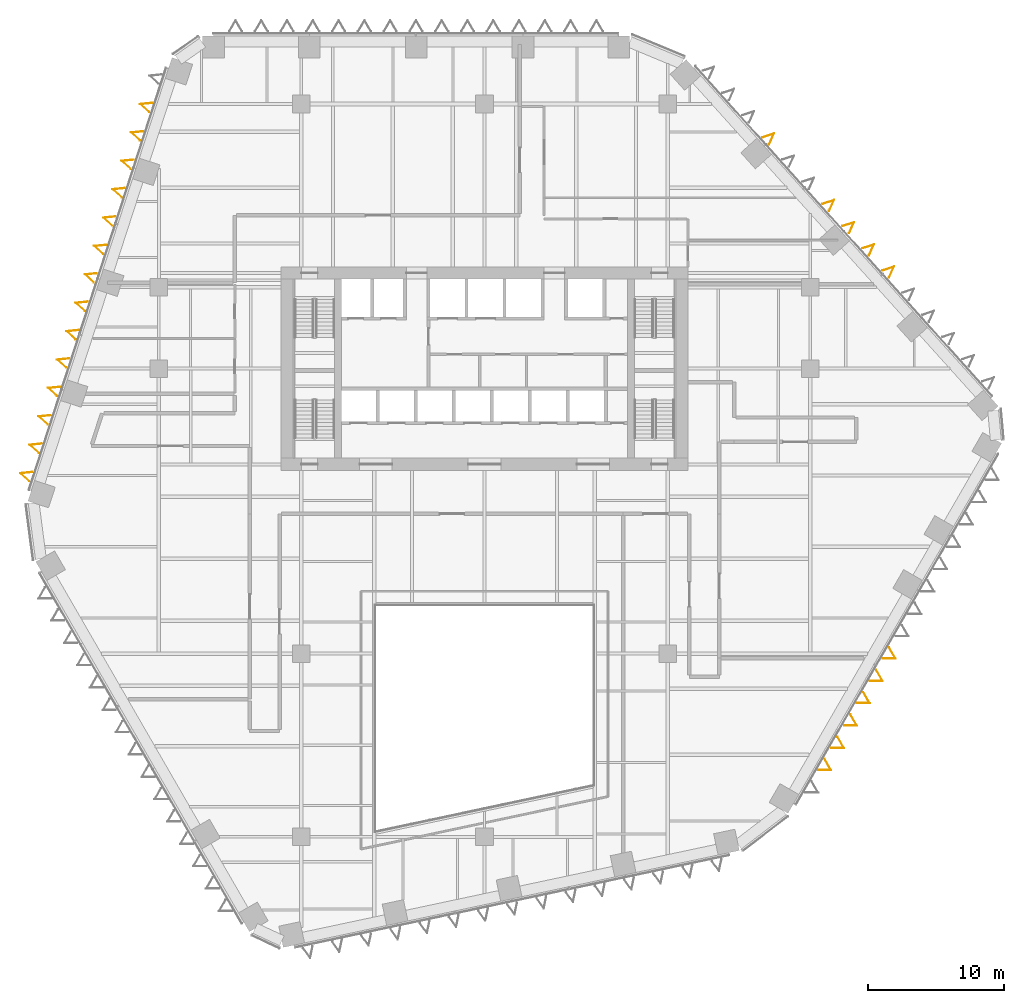
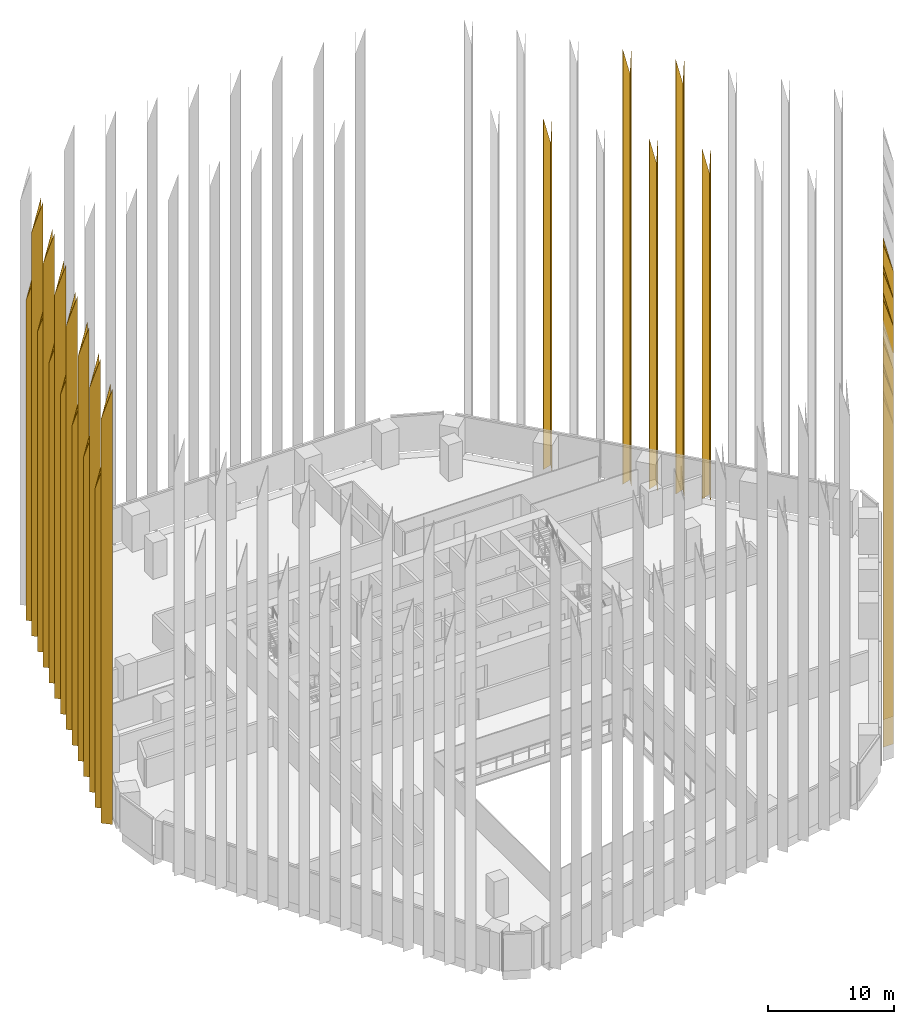
# One storey, part 22 of 24: 25 coverings.
"""IFC4 building model written with IfcOpenShell, lengths in metres."""

import ifcopenshell
import ifcopenshell.guid

model = None  # the IFC model being written
_history = None  # IfcOwnerHistory: only IFC2X3 demands one
_inside = {}  # id of a spatial element -> (the spatial element, [elements in it])
_under = {}  # id of a project, library or spatial element -> (it, [spatial elements below it])
_declared = {}  # id of a project -> (the project, [libraries it declares])
_typed = {}  # id of a type object -> (the type object, [elements of that type])
_made_of = {}  # id of a material, layer set ... -> (it, [elements and type objects made of it])


def new_model(schema):
    """Start an empty IFC model of exactly this schema.

    Asked for "IFC4X3", IfcOpenShell would pick the latest addendum, in which some entities
    have other attributes; the version numbers below select the first issue.
    IFC2X3 requires an IfcOwnerHistory on every rooted entity: one is made here for all.
    """
    global model, _history
    if schema == "IFC4X3":
        model = ifcopenshell.file(schema_version=(4, 3, 0, 0))
    else:
        model = ifcopenshell.file(schema=schema)
    _inside.clear()
    _under.clear()
    _declared.clear()
    _typed.clear()
    _made_of.clear()
    _history = None
    if model.schema == "IFC2X3":
        org = make("IfcOrganization", Name="unknown")
        user = make(
            "IfcPersonAndOrganization",
            ThePerson=make("IfcPerson", FamilyName="unknown"),
            TheOrganization=org,
        )
        app = make(
            "IfcApplication",
            ApplicationDeveloper=org,
            Version="unknown",
            ApplicationFullName="unknown",
            ApplicationIdentifier="unknown",
        )
        _history = make(
            "IfcOwnerHistory",
            OwningUser=user,
            OwningApplication=app,
            ChangeAction="ADDED",
            CreationDate=0,
        )
    return model


def make(cls, **values):
    """One entity of the class cls with the attributes given. An attribute that is None is left unset."""
    return model.create_entity(
        cls, **{name: value for name, value in values.items() if value is not None}
    )


def rooted(cls, **values):
    """An entity with a GlobalId (a new one), such as an element, a storey or a relation."""
    return make(cls, GlobalId=ifcopenshell.guid.new(), OwnerHistory=_history, **values)


def si_unit(unit_type, name, prefix=None):
    """IfcSIUnit, for example si_unit("LENGTHUNIT", "METRE", prefix="MILLI")."""
    return make("IfcSIUnit", UnitType=unit_type, Prefix=prefix, Name=name)


def assignment(units):
    """IfcUnitAssignment: the units of a project."""
    return None if units is None else make("IfcUnitAssignment", Units=units)


def point(xyz):
    """IfcCartesianPoint."""
    return None if xyz is None else make("IfcCartesianPoint", Coordinates=xyz)


def direction(xyz):
    """IfcDirection."""
    return None if xyz is None else make("IfcDirection", DirectionRatios=xyz)


def frame(location, z_axis=None, x_axis=None):
    """IfcAxis2Placement3D, a coordinate frame: its origin and axes. An axis left out is left unset."""
    return make(
        "IfcAxis2Placement3D",
        Location=point(location),
        Axis=direction(z_axis),
        RefDirection=direction(x_axis),
    )


def origin():
    """The frame at (0, 0, 0) with its axes left unset."""
    return frame((0.0, 0.0, 0.0))


def place(relative_to, where):
    """IfcLocalPlacement: puts the frame where relative to a parent placement (None: the world)."""
    return make(
        "IfcLocalPlacement", PlacementRelTo=relative_to, RelativePlacement=where
    )


def context(
    kind, dimensions, precision=None, world=None, true_north=None, identifier=None
):
    """IfcGeometricRepresentationContext, for example the 3D "Model" context."""
    return make(
        "IfcGeometricRepresentationContext",
        ContextIdentifier=identifier,
        ContextType=kind,
        CoordinateSpaceDimension=dimensions,
        Precision=precision,
        WorldCoordinateSystem=world,
        TrueNorth=true_north,
    )


def subcontext(parent, identifier, kind, view, scale=None):
    """IfcGeometricRepresentationSubContext, for example "Body" below "Model"."""
    return make(
        "IfcGeometricRepresentationSubContext",
        ContextIdentifier=identifier,
        ContextType=kind,
        ParentContext=parent,
        TargetScale=scale,
        TargetView=view,
    )


def project(units=None, contexts=None):
    """IfcProject with its units and contexts."""
    return rooted(
        "IfcProject",
        Name="project",
        RepresentationContexts=contexts,
        UnitsInContext=assignment(units),
    )


def spatial(cls, under=None, at=None, **own):
    """A site, building, storey or space (cls), placed at a placement, below another one or the project."""
    s = rooted(cls, ObjectPlacement=at, **own)
    if under is not None:
        _under.setdefault(under.id(), (under, []))[1].append(s)
    return s


def polyline(points):
    """IfcPolyline through the points."""
    return make("IfcPolyline", Points=[point(p) for p in points])


def outline(outer, holes=None, kind="AREA"):
    """IfcArbitraryClosedProfileDef: a profile drawn as a closed curve; with holes, ...WithVoids."""
    if holes is None:
        return make("IfcArbitraryClosedProfileDef", ProfileType=kind, OuterCurve=outer)
    return make(
        "IfcArbitraryProfileDefWithVoids",
        ProfileType=kind,
        OuterCurve=outer,
        InnerCurves=holes,
    )


def faces_of(points, faces, orient=None, outer=None):
    """IfcFace entities. A face is a list of loops; a loop is a list of indices into points, from 0.

    orient and outer hold one flag for each loop. By default every Orientation is true, the
    first loop of a face is its IfcFaceOuterBound and the others are IfcFaceBound.
    """
    made = []
    for i, loops in enumerate(faces):
        bounds = []
        for j, loop in enumerate(loops):
            is_outer = j == 0 if outer is None else outer[i][j]
            bounds.append(
                make(
                    "IfcFaceOuterBound" if is_outer else "IfcFaceBound",
                    Bound=make("IfcPolyLoop", Polygon=[points[k] for k in loop]),
                    Orientation=True if orient is None else orient[i][j],
                )
            )
        made.append(make("IfcFace", Bounds=bounds))
    return made


def faceted_brep(points, faces, orient=None, outer=None, voids=None):
    """IfcFacetedBrep: a solid bounded by flat faces; with voids (closed shells), ...WithVoids."""
    shared = [point(p) for p in points]
    hull = make("IfcClosedShell", CfsFaces=faces_of(shared, faces, orient, outer))
    if voids is None:
        return make("IfcFacetedBrep", Outer=hull)
    return make(
        "IfcFacetedBrepWithVoids",
        Outer=hull,
        Voids=[
            make(cls, CfsFaces=faces_of(shared, fs, o, b)) for cls, fs, o, b in voids
        ],
    )


def shape(context_of_items, identifier, shape_type, items):
    """IfcShapeRepresentation: the items that make up one representation, for example the "Body"."""
    return make(
        "IfcShapeRepresentation",
        ContextOfItems=context_of_items,
        RepresentationIdentifier=identifier,
        RepresentationType=shape_type,
        Items=items,
    )


def material(Name=None, Category=None):
    """IfcMaterial."""
    return make("IfcMaterial", Name=Name, Category=Category)


def material_profile(
    of_material, cross_section, Name=None, Category=None, Priority=None
):
    """IfcMaterialProfile: a cross section and its material."""
    return make(
        "IfcMaterialProfile",
        Name=Name,
        Material=of_material,
        Profile=cross_section,
        Priority=Priority,
        Category=Category,
    )


def profile_set(profiles, Name=None, composite=None):
    """IfcMaterialProfileSet."""
    return make(
        "IfcMaterialProfileSet",
        Name=Name,
        MaterialProfiles=profiles,
        CompositeProfile=composite,
    )


def made_of(thing, what):
    """Note that an element or type object is made of a material, layer set ...; save() writes the relation."""
    if what is not None:
        _made_of.setdefault(what.id(), (what, []))[1].append(thing)
    return thing


def type_object(cls, material=None, **own):
    """A type object (cls), such as IfcWallType, which elements share."""
    return made_of(rooted(cls, **own), material)


def element(
    cls,
    number,
    at=None,
    inside=None,
    cuts=None,
    type_object=None,
    material=None,
    context=None,
    identifier="Body",
    shape_type=None,
    held_by="IfcProductDefinitionShape",
    body=None,
    shapes=None,
    **own,
):
    """One element of the class cls, such as IfcWall. Its Tag is "e" and its number.

    at: its placement. inside: the storey or other place that contains it. cuts: it is an
    opening in that element (IfcRelVoidsElement). A single representation is given by context,
    identifier, shape_type and body (its items); several are given by shapes. held_by: the class
    of the entity that holds the representations. save() writes the other relations.
    """
    e = rooted(cls, Tag="e%d" % number, ObjectPlacement=at, **own)
    if body is not None:
        shapes = [shape(context, identifier, shape_type, body)]
    if shapes is not None:
        e.Representation = make(held_by, Representations=shapes)
    if inside is not None:
        _inside.setdefault(inside.id(), (inside, []))[1].append(e)
    if cuts is not None:
        rooted(
            "IfcRelVoidsElement", RelatingBuildingElement=cuts, RelatedOpeningElement=e
        )
    if type_object is not None:
        _typed.setdefault(type_object.id(), (type_object, []))[1].append(e)
    return made_of(e, material)


def aggregate(whole, parts):
    """IfcRelAggregates: a whole, such as a stair, and the parts it consists of."""
    return rooted("IfcRelAggregates", RelatingObject=whole, RelatedObjects=parts)


def save(model, path):
    """Write the relations noted so far, then the file.

    IfcRelAggregates (storeys below a building ...), IfcRelContainedInSpatialStructure (elements
    in a storey), IfcRelDefinesByType, IfcRelAssociatesMaterial and IfcRelDeclares: one each for
    every whole, place, type object, material and project.
    """
    for whole, parts in _under.values():
        aggregate(whole, parts)
    for where, things in _inside.values():
        rooted(
            "IfcRelContainedInSpatialStructure",
            RelatedElements=things,
            RelatingStructure=where,
        )
    for kind, things in _typed.values():
        rooted("IfcRelDefinesByType", RelatedObjects=things, RelatingType=kind)
    for what, things in _made_of.values():
        rooted("IfcRelAssociatesMaterial", RelatedObjects=things, RelatingMaterial=what)
    for by, libraries in _declared.values():
        rooted("IfcRelDeclares", RelatingContext=by, RelatedDefinitions=libraries)
    model.write(path)


model = new_model("IFC4")

# Units and contexts
model_context = context("Model", 3, precision=1e-05, world=origin(), true_north=direction((0.0, 1.0)))
body_context = subcontext(model_context, "Body", "Model", "MODEL_VIEW")
ifc_project = project(units=[si_unit("LENGTHUNIT", "METRE"), si_unit("AREAUNIT", "SQUARE_METRE"), si_unit("VOLUMEUNIT", "CUBIC_METRE"), si_unit("PLANEANGLEUNIT", "RADIAN"), si_unit("MASSUNIT", "GRAM", prefix="KILO")], contexts=[model_context])

# Site, building, storey
site_placement = place(None, origin())
site = spatial("IfcSite", under=ifc_project, at=site_placement, CompositionType="ELEMENT")
building_placement = place(site_placement, origin())
building = spatial("IfcBuilding", under=site, at=building_placement, Name="Isthmus Gate Tower", CompositionType="ELEMENT")
storey_placement = place(building_placement, frame((0.0, 0.0, 80.64990234375)))
storey = spatial("IfcBuildingStorey", under=building, at=storey_placement, Name="L18", CompositionType="ELEMENT", Elevation=80.64990234375)

# Coverings
ifc_material_1 = material(Name="Structural steel ASTM A572 Gr 50, white paint system", Category="steel")
ifc_material_profile_1 = material_profile(ifc_material_1, outline(polyline([(0.0, -0.3740234375), (0.840087890625, 0.0), (0.0, 0.3740234375), (0.0, 0.341064453125), (0.766357421875, 0.0), (0.0, -0.341064453125), (0.0, -0.3740234375)])), Name="V840")
ifc_profile_set_1 = profile_set([ifc_material_profile_1], Name="Structural steel ASTM A572 Gr 50, white paint system")
covering_type_1 = type_object("IfcCoveringType", Name="FIN V 840 DEEP", PredefinedType="CLADDING", material=ifc_profile_set_1)
covering_1_placement = place(storey_placement, frame((0.0, 0.0, -80.64990234375)))
element("IfcCovering", 1, at=covering_1_placement, inside=storey, type_object=covering_type_1, Name="FIN", ObjectType="FIN", PredefinedType="CLADDING", context=body_context, shape_type="Brep", body=[
    faceted_brep([(-24.486083984375, 27.063720703125, 80.25), (-25.3203125, 26.97607421875, 80.25), (-24.697021484375, 26.414794921875, 80.25), (-24.70703125, 26.383544921875, 80.25), (-25.390380859375, 26.998779296875, 80.25), (-24.47607421875, 27.094970703125, 80.25), (-24.47607421875, 27.094970703125, 114.10009765625), (-25.390380859375, 26.998779296875, 111.10009765625), (-24.70703125, 26.383544921875, 114.10009765625), (-24.697021484375, 26.414794921875, 114.10009765625), (-25.3203125, 26.97607421875, 111.363525390625), (-24.486083984375, 27.063720703125, 114.10009765625)], [[[0, 1, 2, 3, 4, 5]], [[6, 7, 8, 9, 10, 11]], [[5, 4, 7, 6]], [[4, 3, 8, 7]], [[3, 2, 9, 8]], [[2, 1, 10, 9]], [[1, 0, 11, 10]], [[0, 5, 6, 11]]]),
])
covering_2_placement = place(storey_placement, frame((0.0, 0.0, -80.64990234375)))
element("IfcCovering", 2, at=covering_2_placement, inside=storey, type_object=covering_type_1, Name="FIN", ObjectType="FIN", PredefinedType="CLADDING", context=body_context, shape_type="Brep", body=[
    faceted_brep([(-25.165771484375, 24.97119140625, 80.25), (-26.0, 24.883544921875, 80.25), (-25.376708984375, 24.322265625, 80.25), (-25.38671875, 24.291015625, 80.25), (-26.070068359375, 24.90625, 80.25), (-25.15576171875, 25.00244140625, 80.25), (-25.15576171875, 25.00244140625, 122.25), (-26.070068359375, 24.90625, 119.25), (-25.38671875, 24.291015625, 122.25), (-25.376708984375, 24.322265625, 122.25), (-26.0, 24.883544921875, 119.513427734375), (-25.165771484375, 24.97119140625, 122.25)], [[[0, 1, 2, 3, 4, 5]], [[6, 7, 8, 9, 10, 11]], [[5, 4, 7, 6]], [[4, 3, 8, 7]], [[3, 2, 9, 8]], [[2, 1, 10, 9]], [[1, 0, 11, 10]], [[0, 5, 6, 11]]]),
])
covering_3_placement = place(storey_placement, frame((0.0, 0.0, -80.64990234375)))
element("IfcCovering", 3, at=covering_3_placement, inside=storey, type_object=covering_type_1, Name="FIN", ObjectType="FIN", PredefinedType="CLADDING", context=body_context, shape_type="Brep", body=[
    faceted_brep([(-25.845703125, 22.87890625, 80.25), (-26.679931640625, 22.791259765625, 80.25), (-26.056640625, 22.22998046875, 80.25), (-26.066650390625, 22.19873046875, 80.25), (-26.75, 22.81396484375, 80.25), (-25.835693359375, 22.91015625, 80.25), (-25.835693359375, 22.91015625, 114.10009765625), (-26.75, 22.81396484375, 111.10009765625), (-26.066650390625, 22.19873046875, 114.10009765625), (-26.056640625, 22.22998046875, 114.10009765625), (-26.679931640625, 22.791259765625, 111.363525390625), (-25.845703125, 22.87890625, 114.10009765625)], [[[0, 1, 2, 3, 4, 5]], [[6, 7, 8, 9, 10, 11]], [[5, 4, 7, 6]], [[4, 3, 8, 7]], [[3, 2, 9, 8]], [[2, 1, 10, 9]], [[1, 0, 11, 10]], [[0, 5, 6, 11]]]),
])
covering_4_placement = place(storey_placement, frame((0.0, 0.0, -80.64990234375)))
element("IfcCovering", 4, at=covering_4_placement, inside=storey, type_object=covering_type_1, Name="FIN", ObjectType="FIN", PredefinedType="CLADDING", context=body_context, shape_type="Brep", body=[
    faceted_brep([(-26.525390625, 20.78662109375, 80.25), (-27.359619140625, 20.698974609375, 80.25), (-26.736328125, 20.1376953125, 80.25), (-26.746337890625, 20.1064453125, 80.25), (-27.4296875, 20.7216796875, 80.25), (-26.515380859375, 20.81787109375, 80.25), (-26.515380859375, 20.81787109375, 122.25), (-27.4296875, 20.7216796875, 119.25), (-26.746337890625, 20.1064453125, 122.25), (-26.736328125, 20.1376953125, 122.25), (-27.359619140625, 20.698974609375, 119.513427734375), (-26.525390625, 20.78662109375, 122.25)], [[[0, 1, 2, 3, 4, 5]], [[6, 7, 8, 9, 10, 11]], [[5, 4, 7, 6]], [[4, 3, 8, 7]], [[3, 2, 9, 8]], [[2, 1, 10, 9]], [[1, 0, 11, 10]], [[0, 5, 6, 11]]]),
])
covering_5_placement = place(storey_placement, frame((0.0, 0.0, -80.64990234375)))
element("IfcCovering", 5, at=covering_5_placement, inside=storey, type_object=covering_type_1, Name="FIN", ObjectType="FIN", PredefinedType="CLADDING", context=body_context, shape_type="Brep", body=[
    faceted_brep([(-27.205322265625, 18.6943359375, 80.25), (-28.03955078125, 18.606689453125, 80.25), (-27.416259765625, 18.04541015625, 80.25), (-27.42626953125, 18.01416015625, 80.25), (-28.109619140625, 18.62939453125, 80.25), (-27.1953125, 18.7255859375, 80.25), (-27.1953125, 18.7255859375, 114.10009765625), (-28.109619140625, 18.62939453125, 111.10009765625), (-27.42626953125, 18.01416015625, 114.10009765625), (-27.416259765625, 18.04541015625, 114.10009765625), (-28.03955078125, 18.606689453125, 111.363525390625), (-27.205322265625, 18.6943359375, 114.10009765625)], [[[0, 1, 2, 3, 4, 5]], [[6, 7, 8, 9, 10, 11]], [[5, 4, 7, 6]], [[4, 3, 8, 7]], [[3, 2, 9, 8]], [[2, 1, 10, 9]], [[1, 0, 11, 10]], [[0, 5, 6, 11]]]),
])
covering_6_placement = place(storey_placement, frame((0.0, 0.0, -80.64990234375)))
element("IfcCovering", 6, at=covering_6_placement, inside=storey, type_object=covering_type_1, Name="FIN", ObjectType="FIN", PredefinedType="CLADDING", context=body_context, shape_type="Brep", body=[
    faceted_brep([(-27.88525390625, 16.60205078125, 80.25), (-28.719482421875, 16.514404296875, 80.25), (-28.09619140625, 15.953125, 80.25), (-28.106201171875, 15.921875, 80.25), (-28.78955078125, 16.537109375, 80.25), (-27.875244140625, 16.63330078125, 80.25), (-27.875244140625, 16.63330078125, 122.25), (-28.78955078125, 16.537109375, 119.25), (-28.106201171875, 15.921875, 122.25), (-28.09619140625, 15.953125, 122.25), (-28.719482421875, 16.514404296875, 119.513427734375), (-27.88525390625, 16.60205078125, 122.25)], [[[0, 1, 2, 3, 4, 5]], [[6, 7, 8, 9, 10, 11]], [[5, 4, 7, 6]], [[4, 3, 8, 7]], [[3, 2, 9, 8]], [[2, 1, 10, 9]], [[1, 0, 11, 10]], [[0, 5, 6, 11]]]),
])
covering_7_placement = place(storey_placement, frame((0.0, 0.0, -80.64990234375)))
element("IfcCovering", 7, at=covering_7_placement, inside=storey, type_object=covering_type_1, Name="FIN", ObjectType="FIN", PredefinedType="CLADDING", context=body_context, shape_type="Brep", body=[
    faceted_brep([(-28.56494140625, 14.509765625, 80.25), (-29.399169921875, 14.422119140625, 80.25), (-28.77587890625, 13.86083984375, 80.25), (-28.785888671875, 13.82958984375, 80.25), (-29.46923828125, 14.44482421875, 80.25), (-28.554931640625, 14.541015625, 80.25), (-28.554931640625, 14.541015625, 114.10009765625), (-29.46923828125, 14.44482421875, 111.10009765625), (-28.785888671875, 13.82958984375, 114.10009765625), (-28.77587890625, 13.86083984375, 114.10009765625), (-29.399169921875, 14.422119140625, 111.363525390625), (-28.56494140625, 14.509765625, 114.10009765625)], [[[0, 1, 2, 3, 4, 5]], [[6, 7, 8, 9, 10, 11]], [[5, 4, 7, 6]], [[4, 3, 8, 7]], [[3, 2, 9, 8]], [[2, 1, 10, 9]], [[1, 0, 11, 10]], [[0, 5, 6, 11]]]),
])
covering_8_placement = place(storey_placement, frame((0.0, 0.0, -80.64990234375)))
element("IfcCovering", 8, at=covering_8_placement, inside=storey, type_object=covering_type_1, Name="FIN", ObjectType="FIN", PredefinedType="CLADDING", context=body_context, shape_type="Brep", body=[
    faceted_brep([(-29.244873046875, 12.417236328125, 80.25), (-30.0791015625, 12.32958984375, 80.25), (-29.455810546875, 11.768310546875, 80.25), (-29.4658203125, 11.737060546875, 80.25), (-30.149169921875, 12.352294921875, 80.25), (-29.23486328125, 12.448486328125, 80.25), (-29.23486328125, 12.448486328125, 122.25), (-30.149169921875, 12.352294921875, 119.25), (-29.4658203125, 11.737060546875, 122.25), (-29.455810546875, 11.768310546875, 122.25), (-30.0791015625, 12.32958984375, 119.513427734375), (-29.244873046875, 12.417236328125, 122.25)], [[[0, 1, 2, 3, 4, 5]], [[6, 7, 8, 9, 10, 11]], [[5, 4, 7, 6]], [[4, 3, 8, 7]], [[3, 2, 9, 8]], [[2, 1, 10, 9]], [[1, 0, 11, 10]], [[0, 5, 6, 11]]]),
])
covering_9_placement = place(storey_placement, frame((0.0, 0.0, -80.64990234375)))
element("IfcCovering", 9, at=covering_9_placement, inside=storey, type_object=covering_type_1, Name="FIN", ObjectType="FIN", PredefinedType="CLADDING", context=body_context, shape_type="Brep", body=[
    faceted_brep([(-29.9248046875, 10.324951171875, 80.25), (-30.759033203125, 10.2373046875, 80.25), (-30.1357421875, 9.676025390625, 80.25), (-30.145751953125, 9.644775390625, 80.25), (-30.8291015625, 10.260009765625, 80.25), (-29.914794921875, 10.356201171875, 80.25), (-29.914794921875, 10.356201171875, 114.10009765625), (-30.8291015625, 10.260009765625, 111.10009765625), (-30.145751953125, 9.644775390625, 114.10009765625), (-30.1357421875, 9.676025390625, 114.10009765625), (-30.759033203125, 10.2373046875, 111.363525390625), (-29.9248046875, 10.324951171875, 114.10009765625)], [[[0, 1, 2, 3, 4, 5]], [[6, 7, 8, 9, 10, 11]], [[5, 4, 7, 6]], [[4, 3, 8, 7]], [[3, 2, 9, 8]], [[2, 1, 10, 9]], [[1, 0, 11, 10]], [[0, 5, 6, 11]]]),
])
covering_10_placement = place(storey_placement, frame((0.0, 0.0, -80.64990234375)))
element("IfcCovering", 10, at=covering_10_placement, inside=storey, type_object=covering_type_1, Name="FIN", ObjectType="FIN", PredefinedType="CLADDING", context=body_context, shape_type="Brep", body=[
    faceted_brep([(-30.6044921875, 8.232666015625, 80.25), (-31.438720703125, 8.14501953125, 80.25), (-30.8154296875, 7.583740234375, 80.25), (-30.825439453125, 7.552490234375, 80.25), (-31.5087890625, 8.167724609375, 80.25), (-30.594482421875, 8.263916015625, 80.25), (-30.594482421875, 8.263916015625, 122.25), (-31.5087890625, 8.167724609375, 119.25), (-30.825439453125, 7.552490234375, 122.25), (-30.8154296875, 7.583740234375, 122.25), (-31.438720703125, 8.14501953125, 119.513427734375), (-30.6044921875, 8.232666015625, 122.25)], [[[0, 1, 2, 3, 4, 5]], [[6, 7, 8, 9, 10, 11]], [[5, 4, 7, 6]], [[4, 3, 8, 7]], [[3, 2, 9, 8]], [[2, 1, 10, 9]], [[1, 0, 11, 10]], [[0, 5, 6, 11]]]),
])
covering_11_placement = place(storey_placement, frame((0.0, 0.0, -80.64990234375)))
element("IfcCovering", 11, at=covering_11_placement, inside=storey, type_object=covering_type_1, Name="FIN", ObjectType="FIN", PredefinedType="CLADDING", context=body_context, shape_type="Brep", body=[
    faceted_brep([(-31.284423828125, 6.140380859375, 80.25), (-32.11865234375, 6.052734375, 80.25), (-31.495361328125, 5.491455078125, 80.25), (-31.50537109375, 5.460205078125, 80.25), (-32.188720703125, 6.075439453125, 80.25), (-31.2744140625, 6.171630859375, 80.25), (-31.2744140625, 6.171630859375, 114.10009765625), (-32.188720703125, 6.075439453125, 111.10009765625), (-31.50537109375, 5.460205078125, 114.10009765625), (-31.495361328125, 5.491455078125, 114.10009765625), (-32.11865234375, 6.052734375, 111.363525390625), (-31.284423828125, 6.140380859375, 114.10009765625)], [[[0, 1, 2, 3, 4, 5]], [[6, 7, 8, 9, 10, 11]], [[5, 4, 7, 6]], [[4, 3, 8, 7]], [[3, 2, 9, 8]], [[2, 1, 10, 9]], [[1, 0, 11, 10]], [[0, 5, 6, 11]]]),
])
covering_12_placement = place(storey_placement, frame((0.0, 0.0, -80.64990234375)))
element("IfcCovering", 12, at=covering_12_placement, inside=storey, type_object=covering_type_1, Name="FIN", ObjectType="FIN", PredefinedType="CLADDING", context=body_context, shape_type="Brep", body=[
    faceted_brep([(-31.964111328125, 4.048095703125, 80.25), (-32.79833984375, 3.96044921875, 80.25), (-32.175048828125, 3.399169921875, 80.25), (-32.18505859375, 3.367919921875, 80.25), (-32.868408203125, 3.983154296875, 80.25), (-31.9541015625, 4.079345703125, 80.25), (-31.9541015625, 4.079345703125, 122.25), (-32.868408203125, 3.983154296875, 119.25), (-32.18505859375, 3.367919921875, 122.25), (-32.175048828125, 3.399169921875, 122.25), (-32.79833984375, 3.96044921875, 119.513427734375), (-31.964111328125, 4.048095703125, 122.25)], [[[0, 1, 2, 3, 4, 5]], [[6, 7, 8, 9, 10, 11]], [[5, 4, 7, 6]], [[4, 3, 8, 7]], [[3, 2, 9, 8]], [[2, 1, 10, 9]], [[1, 0, 11, 10]], [[0, 5, 6, 11]]]),
])
covering_13_placement = place(storey_placement, frame((0.0, 0.0, -80.64990234375)))
element("IfcCovering", 13, at=covering_13_placement, inside=storey, type_object=covering_type_1, Name="FIN", ObjectType="FIN", PredefinedType="CLADDING", context=body_context, shape_type="Brep", body=[
    faceted_brep([(-32.64404296875, 1.955810546875, 80.25), (-33.478271484375, 1.8681640625, 80.25), (-32.85498046875, 1.306884765625, 80.25), (-32.864990234375, 1.275634765625, 80.25), (-33.54833984375, 1.890869140625, 80.25), (-32.634033203125, 1.987060546875, 80.25), (-32.634033203125, 1.987060546875, 114.10009765625), (-33.54833984375, 1.890869140625, 111.10009765625), (-32.864990234375, 1.275634765625, 114.10009765625), (-32.85498046875, 1.306884765625, 114.10009765625), (-33.478271484375, 1.8681640625, 111.363525390625), (-32.64404296875, 1.955810546875, 114.10009765625)], [[[0, 1, 2, 3, 4, 5]], [[6, 7, 8, 9, 10, 11]], [[5, 4, 7, 6]], [[4, 3, 8, 7]], [[3, 2, 9, 8]], [[2, 1, 10, 9]], [[1, 0, 11, 10]], [[0, 5, 6, 11]]]),
])
covering_14_placement = place(storey_placement, frame((0.0, 0.0, -80.64990234375)))
element("IfcCovering", 14, at=covering_14_placement, inside=storey, type_object=covering_type_1, Name="FIN", ObjectType="FIN", PredefinedType="CLADDING", context=body_context, shape_type="Brep", body=[
    faceted_brep([(-33.323974609375, -0.13671875, 80.25), (-34.158203125, -0.224365234375, 80.25), (-33.534912109375, -0.78564453125, 80.25), (-33.544921875, -0.81689453125, 80.25), (-34.228271484375, -0.20166015625, 80.25), (-33.31396484375, -0.10546875, 80.25), (-33.31396484375, -0.10546875, 122.25), (-34.228271484375, -0.20166015625, 119.25), (-33.544921875, -0.81689453125, 122.25), (-33.534912109375, -0.78564453125, 122.25), (-34.158203125, -0.224365234375, 119.513427734375), (-33.323974609375, -0.13671875, 122.25)], [[[0, 1, 2, 3, 4, 5]], [[6, 7, 8, 9, 10, 11]], [[5, 4, 7, 6]], [[4, 3, 8, 7]], [[3, 2, 9, 8]], [[2, 1, 10, 9]], [[1, 0, 11, 10]], [[0, 5, 6, 11]]]),
])
covering_15_placement = place(storey_placement, frame((0.0, 0.0, -80.64990234375)))
element("IfcCovering", 15, at=covering_15_placement, inside=storey, type_object=covering_type_1, Name="FIN", ObjectType="FIN", PredefinedType="CLADDING", context=body_context, shape_type="Brep", body=[
    faceted_brep([(29.79248046875, 14.213623046875, 80.25), (30.133544921875, 14.979736328125, 80.25), (29.3359375, 14.720458984375, 80.25), (29.31396484375, 14.744873046875, 80.25), (30.1884765625, 15.029052734375, 80.25), (29.814453125, 14.189208984375, 80.25), (29.814453125, 14.189208984375, 114.10009765625), (30.1884765625, 15.029052734375, 111.10009765625), (29.31396484375, 14.744873046875, 114.10009765625), (29.3359375, 14.720458984375, 114.10009765625), (30.133544921875, 14.979736328125, 111.363525390625), (29.79248046875, 14.213623046875, 114.10009765625)], [[[0, 1, 2, 3, 4, 5]], [[6, 7, 8, 9, 10, 11]], [[5, 4, 7, 6]], [[4, 3, 8, 7]], [[3, 2, 9, 8]], [[2, 1, 10, 9]], [[1, 0, 11, 10]], [[0, 5, 6, 11]]]),
])
covering_16_placement = place(storey_placement, frame((0.0, 0.0, -80.64990234375)))
element("IfcCovering", 16, at=covering_16_placement, inside=storey, type_object=covering_type_1, Name="FIN", ObjectType="FIN", PredefinedType="CLADDING", context=body_context, shape_type="Brep", body=[
    faceted_brep([(28.3203125, 15.848388671875, 80.25), (28.661376953125, 16.614501953125, 80.25), (27.86376953125, 16.355224609375, 80.25), (27.841796875, 16.379638671875, 80.25), (28.71630859375, 16.663818359375, 80.25), (28.34228515625, 15.823974609375, 80.25), (28.34228515625, 15.823974609375, 122.25), (28.71630859375, 16.663818359375, 119.25), (27.841796875, 16.379638671875, 122.25), (27.86376953125, 16.355224609375, 122.25), (28.661376953125, 16.614501953125, 119.513427734375), (28.3203125, 15.848388671875, 122.25)], [[[0, 1, 2, 3, 4, 5]], [[6, 7, 8, 9, 10, 11]], [[5, 4, 7, 6]], [[4, 3, 8, 7]], [[3, 2, 9, 8]], [[2, 1, 10, 9]], [[1, 0, 11, 10]], [[0, 5, 6, 11]]]),
])
covering_17_placement = place(storey_placement, frame((0.0, 0.0, -80.64990234375)))
element("IfcCovering", 17, at=covering_17_placement, inside=storey, type_object=covering_type_1, Name="FIN", ObjectType="FIN", PredefinedType="CLADDING", context=body_context, shape_type="Brep", body=[
    faceted_brep([(26.84814453125, 17.4833984375, 80.25), (27.189208984375, 18.24951171875, 80.25), (26.3916015625, 17.990234375, 80.25), (26.36962890625, 18.0146484375, 80.25), (27.244140625, 18.298828125, 80.25), (26.8701171875, 17.458984375, 80.25), (26.8701171875, 17.458984375, 114.10009765625), (27.244140625, 18.298828125, 111.10009765625), (26.36962890625, 18.0146484375, 114.10009765625), (26.3916015625, 17.990234375, 114.10009765625), (27.189208984375, 18.24951171875, 111.363525390625), (26.84814453125, 17.4833984375, 114.10009765625)], [[[0, 1, 2, 3, 4, 5]], [[6, 7, 8, 9, 10, 11]], [[5, 4, 7, 6]], [[4, 3, 8, 7]], [[3, 2, 9, 8]], [[2, 1, 10, 9]], [[1, 0, 11, 10]], [[0, 5, 6, 11]]]),
])
covering_18_placement = place(storey_placement, frame((0.0, 0.0, -80.64990234375)))
element("IfcCovering", 18, at=covering_18_placement, inside=storey, type_object=covering_type_1, Name="FIN", ObjectType="FIN", PredefinedType="CLADDING", context=body_context, shape_type="Brep", body=[
    faceted_brep([(25.376220703125, 19.1181640625, 80.25), (25.71728515625, 19.88427734375, 80.25), (24.919677734375, 19.625, 80.25), (24.897705078125, 19.6494140625, 80.25), (25.772216796875, 19.93359375, 80.25), (25.398193359375, 19.09375, 80.25), (25.398193359375, 19.09375, 122.25), (25.772216796875, 19.93359375, 119.25), (24.897705078125, 19.6494140625, 122.25), (24.919677734375, 19.625, 122.25), (25.71728515625, 19.88427734375, 119.513427734375), (25.376220703125, 19.1181640625, 122.25)], [[[0, 1, 2, 3, 4, 5]], [[6, 7, 8, 9, 10, 11]], [[5, 4, 7, 6]], [[4, 3, 8, 7]], [[3, 2, 9, 8]], [[2, 1, 10, 9]], [[1, 0, 11, 10]], [[0, 5, 6, 11]]]),
])
covering_19_placement = place(storey_placement, frame((0.0, 0.0, -80.64990234375)))
element("IfcCovering", 19, at=covering_19_placement, inside=storey, type_object=covering_type_1, Name="FIN", ObjectType="FIN", PredefinedType="CLADDING", context=body_context, shape_type="Brep", body=[
    faceted_brep([(20.9599609375, 24.02294921875, 80.25), (21.301025390625, 24.7890625, 80.25), (20.50341796875, 24.52978515625, 80.25), (20.4814453125, 24.55419921875, 80.25), (21.35595703125, 24.83837890625, 80.25), (20.98193359375, 23.99853515625, 80.25), (20.98193359375, 23.99853515625, 114.10009765625), (21.35595703125, 24.83837890625, 111.10009765625), (20.4814453125, 24.55419921875, 114.10009765625), (20.50341796875, 24.52978515625, 114.10009765625), (21.301025390625, 24.7890625, 111.363525390625), (20.9599609375, 24.02294921875, 114.10009765625)], [[[0, 1, 2, 3, 4, 5]], [[6, 7, 8, 9, 10, 11]], [[5, 4, 7, 6]], [[4, 3, 8, 7]], [[3, 2, 9, 8]], [[2, 1, 10, 9]], [[1, 0, 11, 10]], [[0, 5, 6, 11]]]),
])
ifc_material_2 = material(Name="Structural steel ASTM A572 Gr 50, white paint system", Category="steel")
ifc_material_profile_2 = material_profile(ifc_material_2, outline(polyline([(0.0, -0.48486328125), (0.840087890625, 0.0), (0.0, 0.48486328125), (0.0, 0.450439453125), (0.780029296875, 0.0), (0.0, -0.450439453125), (0.0, -0.48486328125)])), Name="V840W")
ifc_profile_set_2 = profile_set([ifc_material_profile_2], Name="Structural steel ASTM A572 Gr 50, white paint system")
covering_type_2 = type_object("IfcCoveringType", Name="FIN V 840 DEEP WIDE", PredefinedType="CLADDING", material=ifc_profile_set_2)
covering_20_placement = place(storey_placement, frame((0.0, 0.0, -80.64990234375)))
element("IfcCovering", 20, at=covering_20_placement, inside=storey, type_object=covering_type_2, Name="FIN", ObjectType="FIN", PredefinedType="CLADDING", context=body_context, shape_type="Brep", body=[
    faceted_brep([(24.609375, -22.0751953125, 80.25), (25.510009765625, -22.0751953125, 80.25), (25.0595703125, -21.29541015625, 80.25), (25.076904296875, -21.265380859375, 80.25), (25.56201171875, -22.105224609375, 80.25), (24.592041015625, -22.105224609375, 80.25), (24.592041015625, -22.105224609375, 114.10009765625), (25.56201171875, -22.105224609375, 111.10009765625), (25.076904296875, -21.265380859375, 114.10009765625), (25.0595703125, -21.29541015625, 114.10009765625), (25.510009765625, -22.0751953125, 111.314208984375), (24.609375, -22.0751953125, 114.10009765625)], [[[0, 1, 2, 3, 4, 5]], [[6, 7, 8, 9, 10, 11]], [[5, 4, 7, 6]], [[4, 3, 8, 7]], [[3, 2, 9, 8]], [[2, 1, 10, 9]], [[1, 0, 11, 10]], [[0, 5, 6, 11]]]),
])
covering_21_placement = place(storey_placement, frame((0.0, 0.0, -80.64990234375)))
element("IfcCovering", 21, at=covering_21_placement, inside=storey, type_object=covering_type_2, Name="FIN", ObjectType="FIN", PredefinedType="CLADDING", context=body_context, shape_type="Brep", body=[
    faceted_brep([(25.559326171875, -20.4296875, 80.25), (26.4599609375, -20.4296875, 80.25), (26.009521484375, -19.64990234375, 80.25), (26.02685546875, -19.619873046875, 80.25), (26.511962890625, -20.459716796875, 80.25), (25.5419921875, -20.459716796875, 80.25), (25.5419921875, -20.459716796875, 122.25), (26.511962890625, -20.459716796875, 119.25), (26.02685546875, -19.619873046875, 122.25), (26.009521484375, -19.64990234375, 122.25), (26.4599609375, -20.4296875, 119.46435546875), (25.559326171875, -20.4296875, 122.25)], [[[0, 1, 2, 3, 4, 5]], [[6, 7, 8, 9, 10, 11]], [[5, 4, 7, 6]], [[4, 3, 8, 7]], [[3, 2, 9, 8]], [[2, 1, 10, 9]], [[1, 0, 11, 10]], [[0, 5, 6, 11]]]),
])
covering_22_placement = place(storey_placement, frame((0.0, 0.0, -80.64990234375)))
element("IfcCovering", 22, at=covering_22_placement, inside=storey, type_object=covering_type_2, Name="FIN", ObjectType="FIN", PredefinedType="CLADDING", context=body_context, shape_type="Brep", body=[
    faceted_brep([(26.509521484375, -18.784423828125, 80.25), (27.41015625, -18.784423828125, 80.25), (26.959716796875, -18.004638671875, 80.25), (26.97705078125, -17.974609375, 80.25), (27.462158203125, -18.814453125, 80.25), (26.4921875, -18.814453125, 80.25), (26.4921875, -18.814453125, 114.10009765625), (27.462158203125, -18.814453125, 111.10009765625), (26.97705078125, -17.974609375, 114.10009765625), (26.959716796875, -18.004638671875, 114.10009765625), (27.41015625, -18.784423828125, 111.314208984375), (26.509521484375, -18.784423828125, 114.10009765625)], [[[0, 1, 2, 3, 4, 5]], [[6, 7, 8, 9, 10, 11]], [[5, 4, 7, 6]], [[4, 3, 8, 7]], [[3, 2, 9, 8]], [[2, 1, 10, 9]], [[1, 0, 11, 10]], [[0, 5, 6, 11]]]),
])
covering_23_placement = place(storey_placement, frame((0.0, 0.0, -80.64990234375)))
element("IfcCovering", 23, at=covering_23_placement, inside=storey, type_object=covering_type_2, Name="FIN", ObjectType="FIN", PredefinedType="CLADDING", context=body_context, shape_type="Brep", body=[
    faceted_brep([(27.45947265625, -17.138916015625, 80.25), (28.360107421875, -17.138916015625, 80.25), (27.90966796875, -16.359130859375, 80.25), (27.927001953125, -16.3291015625, 80.25), (28.412109375, -17.1689453125, 80.25), (27.442138671875, -17.1689453125, 80.25), (27.442138671875, -17.1689453125, 122.25), (28.412109375, -17.1689453125, 119.25), (27.927001953125, -16.3291015625, 122.25), (27.90966796875, -16.359130859375, 122.25), (28.360107421875, -17.138916015625, 119.46435546875), (27.45947265625, -17.138916015625, 122.25)], [[[0, 1, 2, 3, 4, 5]], [[6, 7, 8, 9, 10, 11]], [[5, 4, 7, 6]], [[4, 3, 8, 7]], [[3, 2, 9, 8]], [[2, 1, 10, 9]], [[1, 0, 11, 10]], [[0, 5, 6, 11]]]),
])
covering_24_placement = place(storey_placement, frame((0.0, 0.0, -80.64990234375)))
element("IfcCovering", 24, at=covering_24_placement, inside=storey, type_object=covering_type_2, Name="FIN", ObjectType="FIN", PredefinedType="CLADDING", context=body_context, shape_type="Brep", body=[
    faceted_brep([(28.409423828125, -15.493408203125, 80.25), (29.31005859375, -15.493408203125, 80.25), (28.859619140625, -14.713623046875, 80.25), (28.876953125, -14.68359375, 80.25), (29.362060546875, -15.5234375, 80.25), (28.39208984375, -15.5234375, 80.25), (28.39208984375, -15.5234375, 114.10009765625), (29.362060546875, -15.5234375, 111.10009765625), (28.876953125, -14.68359375, 114.10009765625), (28.859619140625, -14.713623046875, 114.10009765625), (29.31005859375, -15.493408203125, 111.314208984375), (28.409423828125, -15.493408203125, 114.10009765625)], [[[0, 1, 2, 3, 4, 5]], [[6, 7, 8, 9, 10, 11]], [[5, 4, 7, 6]], [[4, 3, 8, 7]], [[3, 2, 9, 8]], [[2, 1, 10, 9]], [[1, 0, 11, 10]], [[0, 5, 6, 11]]]),
])
covering_25_placement = place(storey_placement, frame((0.0, 0.0, -80.64990234375)))
element("IfcCovering", 25, at=covering_25_placement, inside=storey, type_object=covering_type_2, Name="FIN", ObjectType="FIN", PredefinedType="CLADDING", context=body_context, shape_type="Brep", body=[
    faceted_brep([(29.359375, -13.847900390625, 80.25), (30.260009765625, -13.847900390625, 80.25), (29.8095703125, -13.068115234375, 80.25), (29.826904296875, -13.0380859375, 80.25), (30.31201171875, -13.8779296875, 80.25), (29.342041015625, -13.8779296875, 80.25), (29.342041015625, -13.8779296875, 122.25), (30.31201171875, -13.8779296875, 119.25), (29.826904296875, -13.0380859375, 122.25), (29.8095703125, -13.068115234375, 122.25), (30.260009765625, -13.847900390625, 119.46435546875), (29.359375, -13.847900390625, 122.25)], [[[0, 1, 2, 3, 4, 5]], [[6, 7, 8, 9, 10, 11]], [[5, 4, 7, 6]], [[4, 3, 8, 7]], [[3, 2, 9, 8]], [[2, 1, 10, 9]], [[1, 0, 11, 10]], [[0, 5, 6, 11]]]),
])

save(model, "model.ifc")
